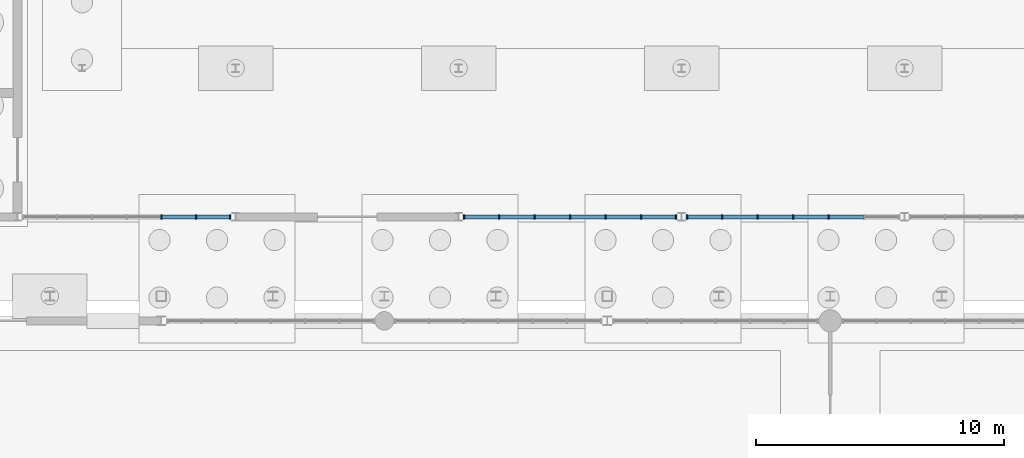
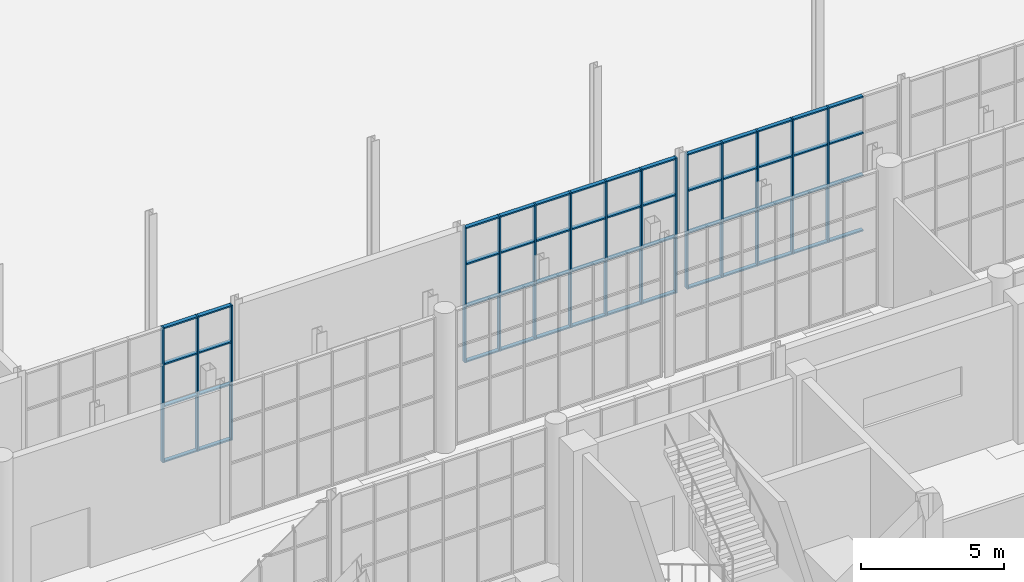
# One storey, part 57 of 131: 67 members, 3 elements without a shape of their own.
"""IFC4 building model written with IfcOpenShell, lengths in metres."""

from ifc_helpers import new_model, si_unit, direction, frame, origin, origin_2d, place, context, subcontext, project, spatial, rectangle, extrude, material, layer, layer_set, material_profile, profile_set, type_object, element, aggregate, save


model = new_model("IFC4")

# Units and contexts
model_context = context("Model", 3, precision=1e-05, world=origin(), true_north=direction((0.0, 1.0)))
body_context = subcontext(model_context, "Body", "Model", "MODEL_VIEW")
ifc_project = project(units=[si_unit("LENGTHUNIT", "METRE"), si_unit("AREAUNIT", "SQUARE_METRE"), si_unit("VOLUMEUNIT", "CUBIC_METRE"), si_unit("PLANEANGLEUNIT", "RADIAN"), si_unit("MASSUNIT", "GRAM", prefix="KILO")], contexts=[model_context])

# Site, building, storey
site_placement = place(None, origin())
site = spatial("IfcSite", under=ifc_project, at=site_placement, CompositionType="ELEMENT")
building_placement = place(site_placement, origin())
building = spatial("IfcBuilding", under=site, at=building_placement, Name="Cazmaro Siding Exhibition Halls", CompositionType="ELEMENT")
storey_placement = place(building_placement, origin())
storey = spatial("IfcBuildingStorey", under=building, at=storey_placement, Name="L00", CompositionType="ELEMENT", Elevation=0.0)

# Curtain wall, members
ifc_material_1 = material(Name="Anodized Bronze Aluminum and Solar-Control Low-E Glazing", Category="aluminium")
ifc_layer = layer(ifc_material_1, 0.179931640625)
ifc_layer_set = layer_set([ifc_layer], Name="Anodized Bronze Aluminum and Solar-Control Low-E Glazing")
curtain_wall_type = type_object("IfcCurtainWallType", Name="CWS-01", PredefinedType="USERDEFINED", material=ifc_layer_set)
curtain_wall_1_placement = place(storey_placement, origin())
curtain_wall_1 = element("IfcCurtainWall", 1, at=curtain_wall_1_placement, inside=storey, type_object=curtain_wall_type, Name="Glazed Curtain Wall CWS-01 CW-003", ObjectType="GLAZED CURTAIN WALL", PredefinedType="USERDEFINED")
ifc_material_2 = material(Name="Anodized Bronze Extruded Aluminum", Category="aluminium")
ifc_material_profile_1 = material_profile(ifc_material_2, rectangle(XDim=0.179931640625, YDim=0.06005859375, at=origin_2d()), Name="CWM-01")
ifc_profile_set_1 = profile_set([ifc_material_profile_1], Name="Anodized Bronze Extruded Aluminum")
member_type_1 = type_object("IfcMemberType", Name="CWM-01", PredefinedType="MULLION", material=ifc_profile_set_1)
member_1_placement = place(storey_placement, frame((63.0009765625, 67.199951171875, 0.0), z_axis=(0.0, 0.0, 1.0), x_axis=(0.0, 1.0, 0.0)))
member_1 = element("IfcMember", 2, at=member_1_placement, type_object=member_type_1, Name="CWS-01 mullion 5", PredefinedType="MULLION", context=body_context, shape_type="SweptSolid", body=[
    extrude(rectangle(XDim=0.179931640625, YDim=0.06005859375, at=origin_2d()), origin(), (0.0, 0.0, 1.0), 5.780029296875),
])
member_2_placement = place(storey_placement, frame((64.402099609375, 67.199951171875, 0.0), z_axis=(0.0, 0.0, 1.0), x_axis=(0.0, 1.0, 0.0)))
member_2 = element("IfcMember", 3, at=member_2_placement, type_object=member_type_1, Name="CWS-01 mullion 6", PredefinedType="MULLION", context=body_context, shape_type="SweptSolid", body=[
    extrude(rectangle(XDim=0.179931640625, YDim=0.06005859375, at=origin_2d()), origin(), (0.0, 0.0, 1.0), 5.780029296875),
])
member_3_placement = place(storey_placement, frame((65.77294921875, 67.199951171875, 0.0), z_axis=(0.0, 0.0, 1.0), x_axis=(0.0, 1.0, 0.0)))
member_3 = element("IfcMember", 4, at=member_3_placement, type_object=member_type_1, Name="CWS-01 mullion 7", PredefinedType="MULLION", context=body_context, shape_type="SweptSolid", body=[
    extrude(rectangle(XDim=0.179931640625, YDim=0.06005859375, at=origin_2d()), origin(), (0.0, 0.0, 1.0), 5.780029296875),
])

curtain_wall_2_placement = place(storey_placement, origin())
curtain_wall_2 = element("IfcCurtainWall", 5, at=curtain_wall_2_placement, inside=storey, type_object=curtain_wall_type, Name="Glazed Curtain Wall CWS-01 CW-011", ObjectType="GLAZED CURTAIN WALL", PredefinedType="USERDEFINED")
member_4_placement = place(storey_placement, frame((75.22705078125, 67.199951171875, 0.0), z_axis=(0.0, 0.0, 1.0), x_axis=(0.0, 1.0, 0.0)))
member_4 = element("IfcMember", 6, at=member_4_placement, type_object=member_type_1, Name="CWS-01 mullion 1", PredefinedType="MULLION", context=body_context, shape_type="SweptSolid", body=[
    extrude(rectangle(XDim=0.179931640625, YDim=0.06005859375, at=origin_2d()), origin(), (0.0, 0.0, 1.0), 5.780029296875),
])
member_5_placement = place(storey_placement, frame((76.63134765625, 67.199951171875, 0.0), z_axis=(0.0, 0.0, 1.0), x_axis=(0.0, 1.0, 0.0)))
member_5 = element("IfcMember", 7, at=member_5_placement, type_object=member_type_1, Name="CWS-01 mullion 2", PredefinedType="MULLION", context=body_context, shape_type="SweptSolid", body=[
    extrude(rectangle(XDim=0.179931640625, YDim=0.06005859375, at=origin_2d()), origin(), (0.0, 0.0, 1.0), 5.780029296875),
])
member_6_placement = place(storey_placement, frame((78.065673828125, 67.199951171875, 0.0), z_axis=(0.0, 0.0, 1.0), x_axis=(0.0, 1.0, 0.0)))
member_6 = element("IfcMember", 8, at=member_6_placement, type_object=member_type_1, Name="CWS-01 mullion 3", PredefinedType="MULLION", context=body_context, shape_type="SweptSolid", body=[
    extrude(rectangle(XDim=0.179931640625, YDim=0.06005859375, at=origin_2d()), origin(), (0.0, 0.0, 1.0), 5.780029296875),
])
member_7_placement = place(storey_placement, frame((79.5, 67.199951171875, 0.0), z_axis=(0.0, 0.0, 1.0), x_axis=(0.0, 1.0, 0.0)))
member_7 = element("IfcMember", 9, at=member_7_placement, type_object=member_type_1, Name="CWS-01 mullion 4", PredefinedType="MULLION", context=body_context, shape_type="SweptSolid", body=[
    extrude(rectangle(XDim=0.179931640625, YDim=0.06005859375, at=origin_2d()), origin(), (0.0, 0.0, 1.0), 5.780029296875),
])
member_8_placement = place(storey_placement, frame((80.934326171875, 67.199951171875, 0.0), z_axis=(0.0, 0.0, 1.0), x_axis=(0.0, 1.0, 0.0)))
member_8 = element("IfcMember", 10, at=member_8_placement, type_object=member_type_1, Name="CWS-01 mullion 5", PredefinedType="MULLION", context=body_context, shape_type="SweptSolid", body=[
    extrude(rectangle(XDim=0.179931640625, YDim=0.06005859375, at=origin_2d()), origin(), (0.0, 0.0, 1.0), 5.780029296875),
])
member_9_placement = place(storey_placement, frame((82.36865234375, 67.199951171875, 0.0), z_axis=(0.0, 0.0, 1.0), x_axis=(0.0, 1.0, 0.0)))
member_9 = element("IfcMember", 11, at=member_9_placement, type_object=member_type_1, Name="CWS-01 mullion 6", PredefinedType="MULLION", context=body_context, shape_type="SweptSolid", body=[
    extrude(rectangle(XDim=0.179931640625, YDim=0.06005859375, at=origin_2d()), origin(), (0.0, 0.0, 1.0), 5.780029296875),
])
member_10_placement = place(storey_placement, frame((83.77294921875, 67.199951171875, 0.0), z_axis=(0.0, 0.0, 1.0), x_axis=(0.0, 1.0, 0.0)))
member_10 = element("IfcMember", 12, at=member_10_placement, type_object=member_type_1, Name="CWS-01 mullion 7", PredefinedType="MULLION", context=body_context, shape_type="SweptSolid", body=[
    extrude(rectangle(XDim=0.179931640625, YDim=0.06005859375, at=origin_2d()), origin(), (0.0, 0.0, 1.0), 5.780029296875),
])

curtain_wall_3_placement = place(storey_placement, origin())
curtain_wall_3 = element("IfcCurtainWall", 13, at=curtain_wall_3_placement, inside=storey, type_object=curtain_wall_type, Name="Glazed Curtain Wall CWS-01 CW-016", ObjectType="GLAZED CURTAIN WALL", PredefinedType="USERDEFINED")
member_11_placement = place(storey_placement, frame((84.22705078125, 67.199951171875, 0.0), z_axis=(0.0, 0.0, 1.0), x_axis=(0.0, 1.0, 0.0)))
member_11 = element("IfcMember", 14, at=member_11_placement, type_object=member_type_1, Name="CWS-01 mullion 1", PredefinedType="MULLION", context=body_context, shape_type="SweptSolid", body=[
    extrude(rectangle(XDim=0.179931640625, YDim=0.06005859375, at=origin_2d()), origin(), (0.0, 0.0, 1.0), 5.780029296875),
])
member_12_placement = place(storey_placement, frame((85.63134765625, 67.199951171875, 0.0), z_axis=(0.0, 0.0, 1.0), x_axis=(0.0, 1.0, 0.0)))
member_12 = element("IfcMember", 15, at=member_12_placement, type_object=member_type_1, Name="CWS-01 mullion 2", PredefinedType="MULLION", context=body_context, shape_type="SweptSolid", body=[
    extrude(rectangle(XDim=0.179931640625, YDim=0.06005859375, at=origin_2d()), origin(), (0.0, 0.0, 1.0), 5.780029296875),
])
member_13_placement = place(storey_placement, frame((87.065673828125, 67.199951171875, 0.0), z_axis=(0.0, 0.0, 1.0), x_axis=(0.0, 1.0, 0.0)))
member_13 = element("IfcMember", 16, at=member_13_placement, type_object=member_type_1, Name="CWS-01 mullion 3", PredefinedType="MULLION", context=body_context, shape_type="SweptSolid", body=[
    extrude(rectangle(XDim=0.179931640625, YDim=0.06005859375, at=origin_2d()), origin(), (0.0, 0.0, 1.0), 5.780029296875),
])
member_14_placement = place(storey_placement, frame((88.5, 67.199951171875, 0.0), z_axis=(0.0, 0.0, 1.0), x_axis=(0.0, 1.0, 0.0)))
member_14 = element("IfcMember", 17, at=member_14_placement, type_object=member_type_1, Name="CWS-01 mullion 4", PredefinedType="MULLION", context=body_context, shape_type="SweptSolid", body=[
    extrude(rectangle(XDim=0.179931640625, YDim=0.06005859375, at=origin_2d()), origin(), (0.0, 0.0, 1.0), 5.780029296875),
])
member_15_placement = place(storey_placement, frame((89.934326171875, 67.199951171875, 0.0), z_axis=(0.0, 0.0, 1.0), x_axis=(0.0, 1.0, 0.0)))
member_15 = element("IfcMember", 18, at=member_15_placement, type_object=member_type_1, Name="CWS-01 mullion 5", PredefinedType="MULLION", context=body_context, shape_type="SweptSolid", body=[
    extrude(rectangle(XDim=0.179931640625, YDim=0.06005859375, at=origin_2d()), origin(), (0.0, 0.0, 1.0), 5.780029296875),
])

# Member
ifc_material_3 = material(Name="Anodized Bronze Extruded Aluminum", Category="aluminium")
ifc_material_profile_2 = material_profile(ifc_material_3, rectangle(XDim=0.159912109375, YDim=0.06005859375, at=origin_2d()), Name="CWT-01")
ifc_profile_set_2 = profile_set([ifc_material_profile_2], Name="Anodized Bronze Extruded Aluminum")
member_type_2 = type_object("IfcMemberType", Name="CWT-01", PredefinedType="MULLION", material=ifc_profile_set_2)
member_16_placement = place(storey_placement, frame((63.031005859375, 67.199951171875, 0.030029296875), z_axis=(1.0, 0.0, 0.0), x_axis=(0.0, 1.0, 0.0)))
member_16 = element("IfcMember", 19, at=member_16_placement, type_object=member_type_2, Name="CWS-01 transom 5.1", ObjectType="TRANSOM", PredefinedType="USERDEFINED", context=body_context, shape_type="SweptSolid", body=[
    extrude(rectangle(XDim=0.159912109375, YDim=0.06005859375, at=origin_2d()), origin(), (0.0, 0.0, 1.0), 1.341064453125),
])

member_17_placement = place(storey_placement, frame((63.031005859375, 67.199951171875, 2.39990234375), z_axis=(1.0, 0.0, 0.0), x_axis=(0.0, 1.0, 0.0)))
member_17 = element("IfcMember", 20, at=member_17_placement, type_object=member_type_2, Name="CWS-01 transom 5.2", ObjectType="TRANSOM", PredefinedType="USERDEFINED", context=body_context, shape_type="SweptSolid", body=[
    extrude(rectangle(XDim=0.159912109375, YDim=0.06005859375, at=origin_2d()), origin(), (0.0, 0.0, 1.0), 1.341064453125),
])

member_18_placement = place(storey_placement, frame((63.031005859375, 67.199951171875, 4.199951171875), z_axis=(1.0, 0.0, 0.0), x_axis=(0.0, 1.0, 0.0)))
member_18 = element("IfcMember", 21, at=member_18_placement, type_object=member_type_2, Name="CWS-01 transom 5.3", ObjectType="TRANSOM", PredefinedType="USERDEFINED", context=body_context, shape_type="SweptSolid", body=[
    extrude(rectangle(XDim=0.159912109375, YDim=0.06005859375, at=origin_2d()), origin(), (0.0, 0.0, 1.0), 1.341064453125),
])

member_19_placement = place(storey_placement, frame((63.031005859375, 67.199951171875, 5.75), z_axis=(1.0, 0.0, 0.0), x_axis=(0.0, 1.0, 0.0)))
member_19 = element("IfcMember", 22, at=member_19_placement, type_object=member_type_2, Name="CWS-01 transom 5.4", ObjectType="TRANSOM", PredefinedType="USERDEFINED", context=body_context, shape_type="SweptSolid", body=[
    extrude(rectangle(XDim=0.159912109375, YDim=0.06005859375, at=origin_2d()), origin(), (0.0, 0.0, 1.0), 1.341064453125),
])

member_20_placement = place(storey_placement, frame((64.431884765625, 67.199951171875, 0.030029296875), z_axis=(1.0, 0.0, 0.0), x_axis=(0.0, 1.0, 0.0)))
member_20 = element("IfcMember", 23, at=member_20_placement, type_object=member_type_2, Name="CWS-01 transom 6.1", ObjectType="TRANSOM", PredefinedType="USERDEFINED", context=body_context, shape_type="SweptSolid", body=[
    extrude(rectangle(XDim=0.159912109375, YDim=0.06005859375, at=origin_2d()), origin(), (0.0, 0.0, 1.0), 1.31103515625),
])

member_21_placement = place(storey_placement, frame((64.431884765625, 67.199951171875, 2.39990234375), z_axis=(1.0, 0.0, 0.0), x_axis=(0.0, 1.0, 0.0)))
member_21 = element("IfcMember", 24, at=member_21_placement, type_object=member_type_2, Name="CWS-01 transom 6.2", ObjectType="TRANSOM", PredefinedType="USERDEFINED", context=body_context, shape_type="SweptSolid", body=[
    extrude(rectangle(XDim=0.159912109375, YDim=0.06005859375, at=origin_2d()), origin(), (0.0, 0.0, 1.0), 1.31103515625),
])

member_22_placement = place(storey_placement, frame((64.431884765625, 67.199951171875, 4.199951171875), z_axis=(1.0, 0.0, 0.0), x_axis=(0.0, 1.0, 0.0)))
member_22 = element("IfcMember", 25, at=member_22_placement, type_object=member_type_2, Name="CWS-01 transom 6.3", ObjectType="TRANSOM", PredefinedType="USERDEFINED", context=body_context, shape_type="SweptSolid", body=[
    extrude(rectangle(XDim=0.159912109375, YDim=0.06005859375, at=origin_2d()), origin(), (0.0, 0.0, 1.0), 1.31103515625),
])

member_23_placement = place(storey_placement, frame((64.431884765625, 67.199951171875, 5.75), z_axis=(1.0, 0.0, 0.0), x_axis=(0.0, 1.0, 0.0)))
member_23 = element("IfcMember", 26, at=member_23_placement, type_object=member_type_2, Name="CWS-01 transom 6.4", ObjectType="TRANSOM", PredefinedType="USERDEFINED", context=body_context, shape_type="SweptSolid", body=[
    extrude(rectangle(XDim=0.159912109375, YDim=0.06005859375, at=origin_2d()), origin(), (0.0, 0.0, 1.0), 1.31103515625),
])

aggregate(curtain_wall_1, [member_1, member_2, member_3, member_16, member_17, member_18, member_19, member_20, member_21, member_22, member_23])

member_24_placement = place(storey_placement, frame((75.257080078125, 67.199951171875, 0.030029296875), z_axis=(1.0, 0.0, 0.0), x_axis=(0.0, 1.0, 0.0)))
member_24 = element("IfcMember", 27, at=member_24_placement, type_object=member_type_2, Name="CWS-01 transom 1.1", ObjectType="TRANSOM", PredefinedType="USERDEFINED", context=body_context, shape_type="SweptSolid", body=[
    extrude(rectangle(XDim=0.159912109375, YDim=0.06005859375, at=origin_2d()), origin(), (0.0, 0.0, 1.0), 1.34423828125),
])

member_25_placement = place(storey_placement, frame((75.257080078125, 67.199951171875, 2.39990234375), z_axis=(1.0, 0.0, 0.0), x_axis=(0.0, 1.0, 0.0)))
member_25 = element("IfcMember", 28, at=member_25_placement, type_object=member_type_2, Name="CWS-01 transom 1.2", ObjectType="TRANSOM", PredefinedType="USERDEFINED", context=body_context, shape_type="SweptSolid", body=[
    extrude(rectangle(XDim=0.159912109375, YDim=0.06005859375, at=origin_2d()), origin(), (0.0, 0.0, 1.0), 1.34423828125),
])

member_26_placement = place(storey_placement, frame((75.257080078125, 67.199951171875, 4.199951171875), z_axis=(1.0, 0.0, 0.0), x_axis=(0.0, 1.0, 0.0)))
member_26 = element("IfcMember", 29, at=member_26_placement, type_object=member_type_2, Name="CWS-01 transom 1.3", ObjectType="TRANSOM", PredefinedType="USERDEFINED", context=body_context, shape_type="SweptSolid", body=[
    extrude(rectangle(XDim=0.159912109375, YDim=0.06005859375, at=origin_2d()), origin(), (0.0, 0.0, 1.0), 1.34423828125),
])

member_27_placement = place(storey_placement, frame((75.257080078125, 67.199951171875, 5.75), z_axis=(1.0, 0.0, 0.0), x_axis=(0.0, 1.0, 0.0)))
member_27 = element("IfcMember", 30, at=member_27_placement, type_object=member_type_2, Name="CWS-01 transom 1.4", ObjectType="TRANSOM", PredefinedType="USERDEFINED", context=body_context, shape_type="SweptSolid", body=[
    extrude(rectangle(XDim=0.159912109375, YDim=0.06005859375, at=origin_2d()), origin(), (0.0, 0.0, 1.0), 1.34423828125),
])

member_28_placement = place(storey_placement, frame((76.661376953125, 67.199951171875, 0.030029296875), z_axis=(1.0, 0.0, 0.0), x_axis=(0.0, 1.0, 0.0)))
member_28 = element("IfcMember", 31, at=member_28_placement, type_object=member_type_2, Name="CWS-01 transom 2.1", ObjectType="TRANSOM", PredefinedType="USERDEFINED", context=body_context, shape_type="SweptSolid", body=[
    extrude(rectangle(XDim=0.159912109375, YDim=0.06005859375, at=origin_2d()), origin(), (0.0, 0.0, 1.0), 1.374267578125),
])

member_29_placement = place(storey_placement, frame((76.661376953125, 67.199951171875, 2.39990234375), z_axis=(1.0, 0.0, 0.0), x_axis=(0.0, 1.0, 0.0)))
member_29 = element("IfcMember", 32, at=member_29_placement, type_object=member_type_2, Name="CWS-01 transom 2.2", ObjectType="TRANSOM", PredefinedType="USERDEFINED", context=body_context, shape_type="SweptSolid", body=[
    extrude(rectangle(XDim=0.159912109375, YDim=0.06005859375, at=origin_2d()), origin(), (0.0, 0.0, 1.0), 1.374267578125),
])

member_30_placement = place(storey_placement, frame((76.661376953125, 67.199951171875, 4.199951171875), z_axis=(1.0, 0.0, 0.0), x_axis=(0.0, 1.0, 0.0)))
member_30 = element("IfcMember", 33, at=member_30_placement, type_object=member_type_2, Name="CWS-01 transom 2.3", ObjectType="TRANSOM", PredefinedType="USERDEFINED", context=body_context, shape_type="SweptSolid", body=[
    extrude(rectangle(XDim=0.159912109375, YDim=0.06005859375, at=origin_2d()), origin(), (0.0, 0.0, 1.0), 1.374267578125),
])

member_31_placement = place(storey_placement, frame((76.661376953125, 67.199951171875, 5.75), z_axis=(1.0, 0.0, 0.0), x_axis=(0.0, 1.0, 0.0)))
member_31 = element("IfcMember", 34, at=member_31_placement, type_object=member_type_2, Name="CWS-01 transom 2.4", ObjectType="TRANSOM", PredefinedType="USERDEFINED", context=body_context, shape_type="SweptSolid", body=[
    extrude(rectangle(XDim=0.159912109375, YDim=0.06005859375, at=origin_2d()), origin(), (0.0, 0.0, 1.0), 1.374267578125),
])

member_32_placement = place(storey_placement, frame((78.095703125, 67.199951171875, 0.030029296875), z_axis=(1.0, 0.0, 0.0), x_axis=(0.0, 1.0, 0.0)))
member_32 = element("IfcMember", 35, at=member_32_placement, type_object=member_type_2, Name="CWS-01 transom 3.1", ObjectType="TRANSOM", PredefinedType="USERDEFINED", context=body_context, shape_type="SweptSolid", body=[
    extrude(rectangle(XDim=0.159912109375, YDim=0.06005859375, at=origin_2d()), origin(), (0.0, 0.0, 1.0), 1.374267578125),
])

member_33_placement = place(storey_placement, frame((78.095703125, 67.199951171875, 2.39990234375), z_axis=(1.0, 0.0, 0.0), x_axis=(0.0, 1.0, 0.0)))
member_33 = element("IfcMember", 36, at=member_33_placement, type_object=member_type_2, Name="CWS-01 transom 3.2", ObjectType="TRANSOM", PredefinedType="USERDEFINED", context=body_context, shape_type="SweptSolid", body=[
    extrude(rectangle(XDim=0.159912109375, YDim=0.06005859375, at=origin_2d()), origin(), (0.0, 0.0, 1.0), 1.374267578125),
])

member_34_placement = place(storey_placement, frame((78.095703125, 67.199951171875, 4.199951171875), z_axis=(1.0, 0.0, 0.0), x_axis=(0.0, 1.0, 0.0)))
member_34 = element("IfcMember", 37, at=member_34_placement, type_object=member_type_2, Name="CWS-01 transom 3.3", ObjectType="TRANSOM", PredefinedType="USERDEFINED", context=body_context, shape_type="SweptSolid", body=[
    extrude(rectangle(XDim=0.159912109375, YDim=0.06005859375, at=origin_2d()), origin(), (0.0, 0.0, 1.0), 1.374267578125),
])

member_35_placement = place(storey_placement, frame((78.095703125, 67.199951171875, 5.75), z_axis=(1.0, 0.0, 0.0), x_axis=(0.0, 1.0, 0.0)))
member_35 = element("IfcMember", 38, at=member_35_placement, type_object=member_type_2, Name="CWS-01 transom 3.4", ObjectType="TRANSOM", PredefinedType="USERDEFINED", context=body_context, shape_type="SweptSolid", body=[
    extrude(rectangle(XDim=0.159912109375, YDim=0.06005859375, at=origin_2d()), origin(), (0.0, 0.0, 1.0), 1.374267578125),
])

member_36_placement = place(storey_placement, frame((79.530029296875, 67.199951171875, 0.030029296875), z_axis=(1.0, 0.0, 0.0), x_axis=(0.0, 1.0, 0.0)))
member_36 = element("IfcMember", 39, at=member_36_placement, type_object=member_type_2, Name="CWS-01 transom 4.1", ObjectType="TRANSOM", PredefinedType="USERDEFINED", context=body_context, shape_type="SweptSolid", body=[
    extrude(rectangle(XDim=0.159912109375, YDim=0.06005859375, at=origin_2d()), origin(), (0.0, 0.0, 1.0), 1.374267578125),
])

member_37_placement = place(storey_placement, frame((79.530029296875, 67.199951171875, 2.39990234375), z_axis=(1.0, 0.0, 0.0), x_axis=(0.0, 1.0, 0.0)))
member_37 = element("IfcMember", 40, at=member_37_placement, type_object=member_type_2, Name="CWS-01 transom 4.2", ObjectType="TRANSOM", PredefinedType="USERDEFINED", context=body_context, shape_type="SweptSolid", body=[
    extrude(rectangle(XDim=0.159912109375, YDim=0.06005859375, at=origin_2d()), origin(), (0.0, 0.0, 1.0), 1.374267578125),
])

member_38_placement = place(storey_placement, frame((79.530029296875, 67.199951171875, 4.199951171875), z_axis=(1.0, 0.0, 0.0), x_axis=(0.0, 1.0, 0.0)))
member_38 = element("IfcMember", 41, at=member_38_placement, type_object=member_type_2, Name="CWS-01 transom 4.3", ObjectType="TRANSOM", PredefinedType="USERDEFINED", context=body_context, shape_type="SweptSolid", body=[
    extrude(rectangle(XDim=0.159912109375, YDim=0.06005859375, at=origin_2d()), origin(), (0.0, 0.0, 1.0), 1.374267578125),
])

member_39_placement = place(storey_placement, frame((79.530029296875, 67.199951171875, 5.75), z_axis=(1.0, 0.0, 0.0), x_axis=(0.0, 1.0, 0.0)))
member_39 = element("IfcMember", 42, at=member_39_placement, type_object=member_type_2, Name="CWS-01 transom 4.4", ObjectType="TRANSOM", PredefinedType="USERDEFINED", context=body_context, shape_type="SweptSolid", body=[
    extrude(rectangle(XDim=0.159912109375, YDim=0.06005859375, at=origin_2d()), origin(), (0.0, 0.0, 1.0), 1.374267578125),
])

member_40_placement = place(storey_placement, frame((80.96435546875, 67.199951171875, 0.030029296875), z_axis=(1.0, 0.0, 0.0), x_axis=(0.0, 1.0, 0.0)))
member_40 = element("IfcMember", 43, at=member_40_placement, type_object=member_type_2, Name="CWS-01 transom 5.1", ObjectType="TRANSOM", PredefinedType="USERDEFINED", context=body_context, shape_type="SweptSolid", body=[
    extrude(rectangle(XDim=0.159912109375, YDim=0.06005859375, at=origin_2d()), origin(), (0.0, 0.0, 1.0), 1.374267578125),
])

member_41_placement = place(storey_placement, frame((80.96435546875, 67.199951171875, 2.39990234375), z_axis=(1.0, 0.0, 0.0), x_axis=(0.0, 1.0, 0.0)))
member_41 = element("IfcMember", 44, at=member_41_placement, type_object=member_type_2, Name="CWS-01 transom 5.2", ObjectType="TRANSOM", PredefinedType="USERDEFINED", context=body_context, shape_type="SweptSolid", body=[
    extrude(rectangle(XDim=0.159912109375, YDim=0.06005859375, at=origin_2d()), origin(), (0.0, 0.0, 1.0), 1.374267578125),
])

member_42_placement = place(storey_placement, frame((80.96435546875, 67.199951171875, 4.199951171875), z_axis=(1.0, 0.0, 0.0), x_axis=(0.0, 1.0, 0.0)))
member_42 = element("IfcMember", 45, at=member_42_placement, type_object=member_type_2, Name="CWS-01 transom 5.3", ObjectType="TRANSOM", PredefinedType="USERDEFINED", context=body_context, shape_type="SweptSolid", body=[
    extrude(rectangle(XDim=0.159912109375, YDim=0.06005859375, at=origin_2d()), origin(), (0.0, 0.0, 1.0), 1.374267578125),
])

member_43_placement = place(storey_placement, frame((80.96435546875, 67.199951171875, 5.75), z_axis=(1.0, 0.0, 0.0), x_axis=(0.0, 1.0, 0.0)))
member_43 = element("IfcMember", 46, at=member_43_placement, type_object=member_type_2, Name="CWS-01 transom 5.4", ObjectType="TRANSOM", PredefinedType="USERDEFINED", context=body_context, shape_type="SweptSolid", body=[
    extrude(rectangle(XDim=0.159912109375, YDim=0.06005859375, at=origin_2d()), origin(), (0.0, 0.0, 1.0), 1.374267578125),
])

member_44_placement = place(storey_placement, frame((82.398681640625, 67.199951171875, 0.030029296875), z_axis=(1.0, 0.0, 0.0), x_axis=(0.0, 1.0, 0.0)))
member_44 = element("IfcMember", 47, at=member_44_placement, type_object=member_type_2, Name="CWS-01 transom 6.1", ObjectType="TRANSOM", PredefinedType="USERDEFINED", context=body_context, shape_type="SweptSolid", body=[
    extrude(rectangle(XDim=0.159912109375, YDim=0.06005859375, at=origin_2d()), origin(), (0.0, 0.0, 1.0), 1.34423828125),
])

member_45_placement = place(storey_placement, frame((82.398681640625, 67.199951171875, 2.39990234375), z_axis=(1.0, 0.0, 0.0), x_axis=(0.0, 1.0, 0.0)))
member_45 = element("IfcMember", 48, at=member_45_placement, type_object=member_type_2, Name="CWS-01 transom 6.2", ObjectType="TRANSOM", PredefinedType="USERDEFINED", context=body_context, shape_type="SweptSolid", body=[
    extrude(rectangle(XDim=0.159912109375, YDim=0.06005859375, at=origin_2d()), origin(), (0.0, 0.0, 1.0), 1.34423828125),
])

member_46_placement = place(storey_placement, frame((82.398681640625, 67.199951171875, 4.199951171875), z_axis=(1.0, 0.0, 0.0), x_axis=(0.0, 1.0, 0.0)))
member_46 = element("IfcMember", 49, at=member_46_placement, type_object=member_type_2, Name="CWS-01 transom 6.3", ObjectType="TRANSOM", PredefinedType="USERDEFINED", context=body_context, shape_type="SweptSolid", body=[
    extrude(rectangle(XDim=0.159912109375, YDim=0.06005859375, at=origin_2d()), origin(), (0.0, 0.0, 1.0), 1.34423828125),
])

member_47_placement = place(storey_placement, frame((82.398681640625, 67.199951171875, 5.75), z_axis=(1.0, 0.0, 0.0), x_axis=(0.0, 1.0, 0.0)))
member_47 = element("IfcMember", 50, at=member_47_placement, type_object=member_type_2, Name="CWS-01 transom 6.4", ObjectType="TRANSOM", PredefinedType="USERDEFINED", context=body_context, shape_type="SweptSolid", body=[
    extrude(rectangle(XDim=0.159912109375, YDim=0.06005859375, at=origin_2d()), origin(), (0.0, 0.0, 1.0), 1.34423828125),
])

aggregate(curtain_wall_2, [member_4, member_5, member_6, member_7, member_8, member_9, member_10, member_24, member_25, member_26, member_27, member_28, member_29, member_30, member_31, member_32, member_33, member_34, member_35, member_36, member_37, member_38, member_39, member_40, member_41, member_42, member_43, member_44, member_45, member_46, member_47])

member_48_placement = place(storey_placement, frame((84.257080078125, 67.199951171875, 0.030029296875), z_axis=(1.0, 0.0, 0.0), x_axis=(0.0, 1.0, 0.0)))
member_48 = element("IfcMember", 51, at=member_48_placement, type_object=member_type_2, Name="CWS-01 transom 1.1", ObjectType="TRANSOM", PredefinedType="USERDEFINED", context=body_context, shape_type="SweptSolid", body=[
    extrude(rectangle(XDim=0.159912109375, YDim=0.06005859375, at=origin_2d()), origin(), (0.0, 0.0, 1.0), 1.34423828125),
])

member_49_placement = place(storey_placement, frame((84.257080078125, 67.199951171875, 2.39990234375), z_axis=(1.0, 0.0, 0.0), x_axis=(0.0, 1.0, 0.0)))
member_49 = element("IfcMember", 52, at=member_49_placement, type_object=member_type_2, Name="CWS-01 transom 1.2", ObjectType="TRANSOM", PredefinedType="USERDEFINED", context=body_context, shape_type="SweptSolid", body=[
    extrude(rectangle(XDim=0.159912109375, YDim=0.06005859375, at=origin_2d()), origin(), (0.0, 0.0, 1.0), 1.34423828125),
])

member_50_placement = place(storey_placement, frame((84.257080078125, 67.199951171875, 4.199951171875), z_axis=(1.0, 0.0, 0.0), x_axis=(0.0, 1.0, 0.0)))
member_50 = element("IfcMember", 53, at=member_50_placement, type_object=member_type_2, Name="CWS-01 transom 1.3", ObjectType="TRANSOM", PredefinedType="USERDEFINED", context=body_context, shape_type="SweptSolid", body=[
    extrude(rectangle(XDim=0.159912109375, YDim=0.06005859375, at=origin_2d()), origin(), (0.0, 0.0, 1.0), 1.34423828125),
])

member_51_placement = place(storey_placement, frame((84.257080078125, 67.199951171875, 5.75), z_axis=(1.0, 0.0, 0.0), x_axis=(0.0, 1.0, 0.0)))
member_51 = element("IfcMember", 54, at=member_51_placement, type_object=member_type_2, Name="CWS-01 transom 1.4", ObjectType="TRANSOM", PredefinedType="USERDEFINED", context=body_context, shape_type="SweptSolid", body=[
    extrude(rectangle(XDim=0.159912109375, YDim=0.06005859375, at=origin_2d()), origin(), (0.0, 0.0, 1.0), 1.34423828125),
])

member_52_placement = place(storey_placement, frame((85.661376953125, 67.199951171875, 0.030029296875), z_axis=(1.0, 0.0, 0.0), x_axis=(0.0, 1.0, 0.0)))
member_52 = element("IfcMember", 55, at=member_52_placement, type_object=member_type_2, Name="CWS-01 transom 2.1", ObjectType="TRANSOM", PredefinedType="USERDEFINED", context=body_context, shape_type="SweptSolid", body=[
    extrude(rectangle(XDim=0.159912109375, YDim=0.06005859375, at=origin_2d()), origin(), (0.0, 0.0, 1.0), 1.374267578125),
])

member_53_placement = place(storey_placement, frame((85.661376953125, 67.199951171875, 2.39990234375), z_axis=(1.0, 0.0, 0.0), x_axis=(0.0, 1.0, 0.0)))
member_53 = element("IfcMember", 56, at=member_53_placement, type_object=member_type_2, Name="CWS-01 transom 2.2", ObjectType="TRANSOM", PredefinedType="USERDEFINED", context=body_context, shape_type="SweptSolid", body=[
    extrude(rectangle(XDim=0.159912109375, YDim=0.06005859375, at=origin_2d()), origin(), (0.0, 0.0, 1.0), 1.374267578125),
])

member_54_placement = place(storey_placement, frame((85.661376953125, 67.199951171875, 4.199951171875), z_axis=(1.0, 0.0, 0.0), x_axis=(0.0, 1.0, 0.0)))
member_54 = element("IfcMember", 57, at=member_54_placement, type_object=member_type_2, Name="CWS-01 transom 2.3", ObjectType="TRANSOM", PredefinedType="USERDEFINED", context=body_context, shape_type="SweptSolid", body=[
    extrude(rectangle(XDim=0.159912109375, YDim=0.06005859375, at=origin_2d()), origin(), (0.0, 0.0, 1.0), 1.374267578125),
])

member_55_placement = place(storey_placement, frame((85.661376953125, 67.199951171875, 5.75), z_axis=(1.0, 0.0, 0.0), x_axis=(0.0, 1.0, 0.0)))
member_55 = element("IfcMember", 58, at=member_55_placement, type_object=member_type_2, Name="CWS-01 transom 2.4", ObjectType="TRANSOM", PredefinedType="USERDEFINED", context=body_context, shape_type="SweptSolid", body=[
    extrude(rectangle(XDim=0.159912109375, YDim=0.06005859375, at=origin_2d()), origin(), (0.0, 0.0, 1.0), 1.374267578125),
])

member_56_placement = place(storey_placement, frame((87.095703125, 67.199951171875, 0.030029296875), z_axis=(1.0, 0.0, 0.0), x_axis=(0.0, 1.0, 0.0)))
member_56 = element("IfcMember", 59, at=member_56_placement, type_object=member_type_2, Name="CWS-01 transom 3.1", ObjectType="TRANSOM", PredefinedType="USERDEFINED", context=body_context, shape_type="SweptSolid", body=[
    extrude(rectangle(XDim=0.159912109375, YDim=0.06005859375, at=origin_2d()), origin(), (0.0, 0.0, 1.0), 1.374267578125),
])

member_57_placement = place(storey_placement, frame((87.095703125, 67.199951171875, 2.39990234375), z_axis=(1.0, 0.0, 0.0), x_axis=(0.0, 1.0, 0.0)))
member_57 = element("IfcMember", 60, at=member_57_placement, type_object=member_type_2, Name="CWS-01 transom 3.2", ObjectType="TRANSOM", PredefinedType="USERDEFINED", context=body_context, shape_type="SweptSolid", body=[
    extrude(rectangle(XDim=0.159912109375, YDim=0.06005859375, at=origin_2d()), origin(), (0.0, 0.0, 1.0), 1.374267578125),
])

member_58_placement = place(storey_placement, frame((87.095703125, 67.199951171875, 4.199951171875), z_axis=(1.0, 0.0, 0.0), x_axis=(0.0, 1.0, 0.0)))
member_58 = element("IfcMember", 61, at=member_58_placement, type_object=member_type_2, Name="CWS-01 transom 3.3", ObjectType="TRANSOM", PredefinedType="USERDEFINED", context=body_context, shape_type="SweptSolid", body=[
    extrude(rectangle(XDim=0.159912109375, YDim=0.06005859375, at=origin_2d()), origin(), (0.0, 0.0, 1.0), 1.374267578125),
])

member_59_placement = place(storey_placement, frame((87.095703125, 67.199951171875, 5.75), z_axis=(1.0, 0.0, 0.0), x_axis=(0.0, 1.0, 0.0)))
member_59 = element("IfcMember", 62, at=member_59_placement, type_object=member_type_2, Name="CWS-01 transom 3.4", ObjectType="TRANSOM", PredefinedType="USERDEFINED", context=body_context, shape_type="SweptSolid", body=[
    extrude(rectangle(XDim=0.159912109375, YDim=0.06005859375, at=origin_2d()), origin(), (0.0, 0.0, 1.0), 1.374267578125),
])

member_60_placement = place(storey_placement, frame((88.530029296875, 67.199951171875, 0.030029296875), z_axis=(1.0, 0.0, 0.0), x_axis=(0.0, 1.0, 0.0)))
member_60 = element("IfcMember", 63, at=member_60_placement, type_object=member_type_2, Name="CWS-01 transom 4.1", ObjectType="TRANSOM", PredefinedType="USERDEFINED", context=body_context, shape_type="SweptSolid", body=[
    extrude(rectangle(XDim=0.159912109375, YDim=0.06005859375, at=origin_2d()), origin(), (0.0, 0.0, 1.0), 1.374267578125),
])

member_61_placement = place(storey_placement, frame((88.530029296875, 67.199951171875, 2.39990234375), z_axis=(1.0, 0.0, 0.0), x_axis=(0.0, 1.0, 0.0)))
member_61 = element("IfcMember", 64, at=member_61_placement, type_object=member_type_2, Name="CWS-01 transom 4.2", ObjectType="TRANSOM", PredefinedType="USERDEFINED", context=body_context, shape_type="SweptSolid", body=[
    extrude(rectangle(XDim=0.159912109375, YDim=0.06005859375, at=origin_2d()), origin(), (0.0, 0.0, 1.0), 1.374267578125),
])

member_62_placement = place(storey_placement, frame((88.530029296875, 67.199951171875, 4.199951171875), z_axis=(1.0, 0.0, 0.0), x_axis=(0.0, 1.0, 0.0)))
member_62 = element("IfcMember", 65, at=member_62_placement, type_object=member_type_2, Name="CWS-01 transom 4.3", ObjectType="TRANSOM", PredefinedType="USERDEFINED", context=body_context, shape_type="SweptSolid", body=[
    extrude(rectangle(XDim=0.159912109375, YDim=0.06005859375, at=origin_2d()), origin(), (0.0, 0.0, 1.0), 1.374267578125),
])

member_63_placement = place(storey_placement, frame((88.530029296875, 67.199951171875, 5.75), z_axis=(1.0, 0.0, 0.0), x_axis=(0.0, 1.0, 0.0)))
member_63 = element("IfcMember", 66, at=member_63_placement, type_object=member_type_2, Name="CWS-01 transom 4.4", ObjectType="TRANSOM", PredefinedType="USERDEFINED", context=body_context, shape_type="SweptSolid", body=[
    extrude(rectangle(XDim=0.159912109375, YDim=0.06005859375, at=origin_2d()), origin(), (0.0, 0.0, 1.0), 1.374267578125),
])

member_64_placement = place(storey_placement, frame((89.96435546875, 67.199951171875, 0.030029296875), z_axis=(1.0, 0.0, 0.0), x_axis=(0.0, 1.0, 0.0)))
member_64 = element("IfcMember", 67, at=member_64_placement, type_object=member_type_2, Name="CWS-01 transom 5.1", ObjectType="TRANSOM", PredefinedType="USERDEFINED", context=body_context, shape_type="SweptSolid", body=[
    extrude(rectangle(XDim=0.159912109375, YDim=0.06005859375, at=origin_2d()), origin(), (0.0, 0.0, 1.0), 1.374267578125),
])

member_65_placement = place(storey_placement, frame((89.96435546875, 67.199951171875, 2.39990234375), z_axis=(1.0, 0.0, 0.0), x_axis=(0.0, 1.0, 0.0)))
member_65 = element("IfcMember", 68, at=member_65_placement, type_object=member_type_2, Name="CWS-01 transom 5.2", ObjectType="TRANSOM", PredefinedType="USERDEFINED", context=body_context, shape_type="SweptSolid", body=[
    extrude(rectangle(XDim=0.159912109375, YDim=0.06005859375, at=origin_2d()), origin(), (0.0, 0.0, 1.0), 1.374267578125),
])

member_66_placement = place(storey_placement, frame((89.96435546875, 67.199951171875, 4.199951171875), z_axis=(1.0, 0.0, 0.0), x_axis=(0.0, 1.0, 0.0)))
member_66 = element("IfcMember", 69, at=member_66_placement, type_object=member_type_2, Name="CWS-01 transom 5.3", ObjectType="TRANSOM", PredefinedType="USERDEFINED", context=body_context, shape_type="SweptSolid", body=[
    extrude(rectangle(XDim=0.159912109375, YDim=0.06005859375, at=origin_2d()), origin(), (0.0, 0.0, 1.0), 1.374267578125),
])

member_67_placement = place(storey_placement, frame((89.96435546875, 67.199951171875, 5.75), z_axis=(1.0, 0.0, 0.0), x_axis=(0.0, 1.0, 0.0)))
member_67 = element("IfcMember", 70, at=member_67_placement, type_object=member_type_2, Name="CWS-01 transom 5.4", ObjectType="TRANSOM", PredefinedType="USERDEFINED", context=body_context, shape_type="SweptSolid", body=[
    extrude(rectangle(XDim=0.159912109375, YDim=0.06005859375, at=origin_2d()), origin(), (0.0, 0.0, 1.0), 1.374267578125),
])

aggregate(curtain_wall_3, [member_11, member_12, member_13, member_14, member_15, member_48, member_49, member_50, member_51, member_52, member_53, member_54, member_55, member_56, member_57, member_58, member_59, member_60, member_61, member_62, member_63, member_64, member_65, member_66, member_67])

save(model, "model.ifc")
